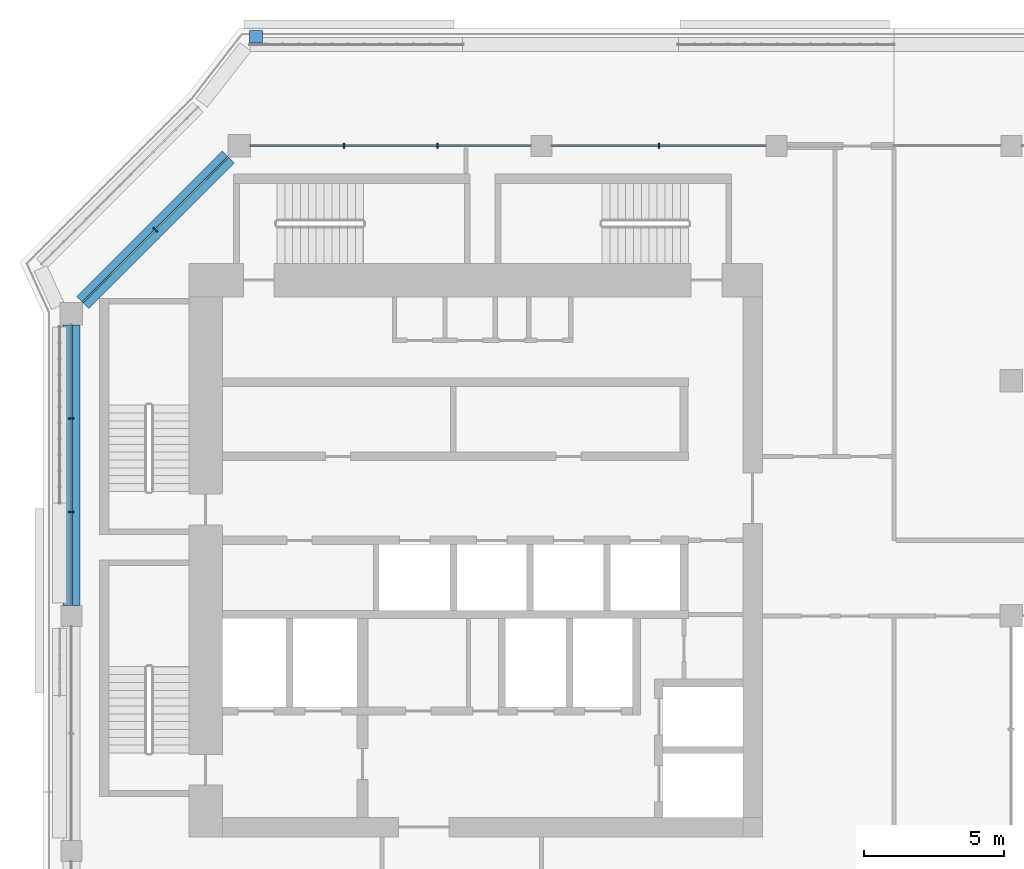
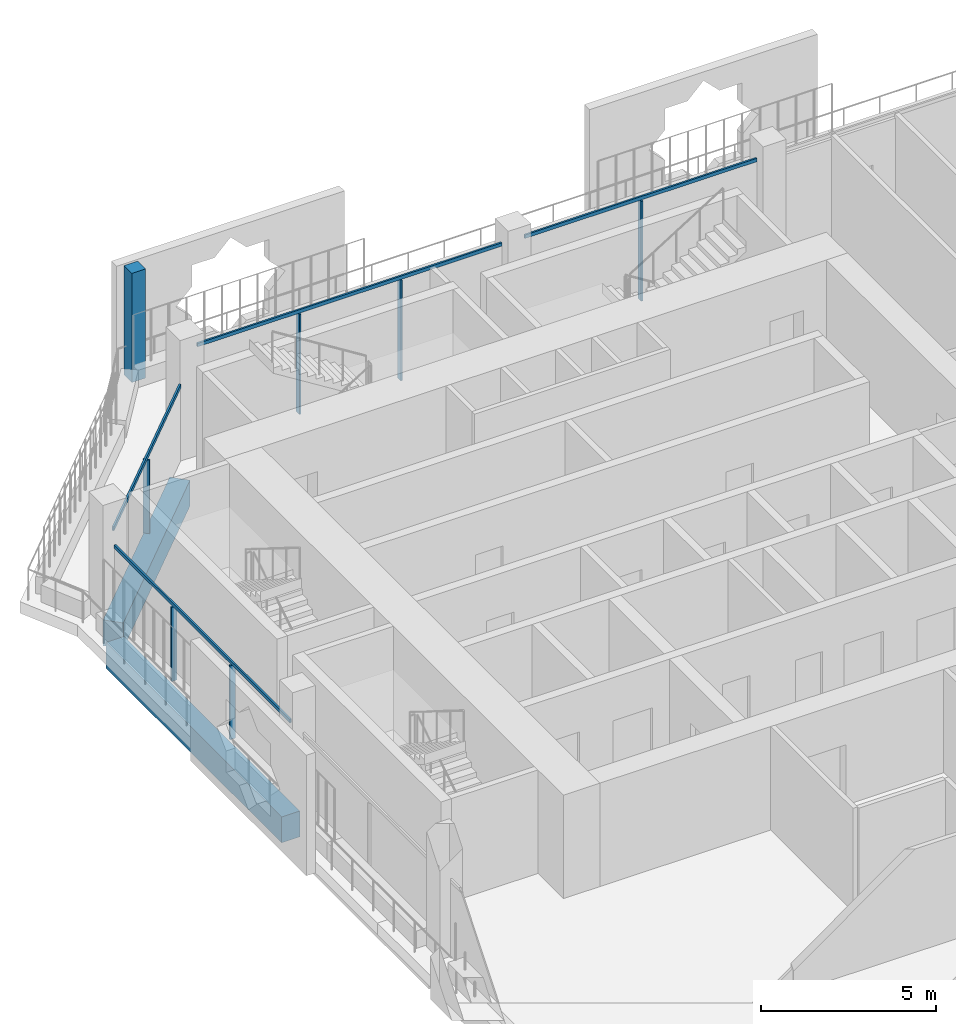
# One storey, part 5 of 22: 11 members, 2 beams, 4 elements without a shape of their own.
"""IFC4 building model written with IfcOpenShell, lengths in metres."""

import ifcopenshell
import ifcopenshell.guid

model = None  # the IFC model being written
_history = None  # IfcOwnerHistory: only IFC2X3 demands one
_inside = {}  # id of a spatial element -> (the spatial element, [elements in it])
_under = {}  # id of a project, library or spatial element -> (it, [spatial elements below it])
_declared = {}  # id of a project -> (the project, [libraries it declares])
_typed = {}  # id of a type object -> (the type object, [elements of that type])
_made_of = {}  # id of a material, layer set ... -> (it, [elements and type objects made of it])


def new_model(schema):
    """Start an empty IFC model of exactly this schema.

    Asked for "IFC4X3", IfcOpenShell would pick the latest addendum, in which some entities
    have other attributes; the version numbers below select the first issue.
    IFC2X3 requires an IfcOwnerHistory on every rooted entity: one is made here for all.
    """
    global model, _history
    if schema == "IFC4X3":
        model = ifcopenshell.file(schema_version=(4, 3, 0, 0))
    else:
        model = ifcopenshell.file(schema=schema)
    _inside.clear()
    _under.clear()
    _declared.clear()
    _typed.clear()
    _made_of.clear()
    _history = None
    if model.schema == "IFC2X3":
        org = make("IfcOrganization", Name="unknown")
        user = make(
            "IfcPersonAndOrganization",
            ThePerson=make("IfcPerson", FamilyName="unknown"),
            TheOrganization=org,
        )
        app = make(
            "IfcApplication",
            ApplicationDeveloper=org,
            Version="unknown",
            ApplicationFullName="unknown",
            ApplicationIdentifier="unknown",
        )
        _history = make(
            "IfcOwnerHistory",
            OwningUser=user,
            OwningApplication=app,
            ChangeAction="ADDED",
            CreationDate=0,
        )
    return model


def make(cls, **values):
    """One entity of the class cls with the attributes given. An attribute that is None is left unset."""
    return model.create_entity(
        cls, **{name: value for name, value in values.items() if value is not None}
    )


def rooted(cls, **values):
    """An entity with a GlobalId (a new one), such as an element, a storey or a relation."""
    return make(cls, GlobalId=ifcopenshell.guid.new(), OwnerHistory=_history, **values)


def si_unit(unit_type, name, prefix=None):
    """IfcSIUnit, for example si_unit("LENGTHUNIT", "METRE", prefix="MILLI")."""
    return make("IfcSIUnit", UnitType=unit_type, Prefix=prefix, Name=name)


def assignment(units):
    """IfcUnitAssignment: the units of a project."""
    return None if units is None else make("IfcUnitAssignment", Units=units)


def point(xyz):
    """IfcCartesianPoint."""
    return None if xyz is None else make("IfcCartesianPoint", Coordinates=xyz)


def direction(xyz):
    """IfcDirection."""
    return None if xyz is None else make("IfcDirection", DirectionRatios=xyz)


def frame(location, z_axis=None, x_axis=None):
    """IfcAxis2Placement3D, a coordinate frame: its origin and axes. An axis left out is left unset."""
    return make(
        "IfcAxis2Placement3D",
        Location=point(location),
        Axis=direction(z_axis),
        RefDirection=direction(x_axis),
    )


def frame_2d(location, x_axis=None):
    """IfcAxis2Placement2D, a coordinate frame in the plane: its origin and x axis."""
    return make(
        "IfcAxis2Placement2D", Location=point(location), RefDirection=direction(x_axis)
    )


def origin():
    """The frame at (0, 0, 0) with its axes left unset."""
    return frame((0.0, 0.0, 0.0))


def origin_2d():
    """The frame at (0, 0) in the plane with its x axis left unset."""
    return frame_2d((0.0, 0.0))


def place(relative_to, where):
    """IfcLocalPlacement: puts the frame where relative to a parent placement (None: the world)."""
    return make(
        "IfcLocalPlacement", PlacementRelTo=relative_to, RelativePlacement=where
    )


def context(
    kind, dimensions, precision=None, world=None, true_north=None, identifier=None
):
    """IfcGeometricRepresentationContext, for example the 3D "Model" context."""
    return make(
        "IfcGeometricRepresentationContext",
        ContextIdentifier=identifier,
        ContextType=kind,
        CoordinateSpaceDimension=dimensions,
        Precision=precision,
        WorldCoordinateSystem=world,
        TrueNorth=true_north,
    )


def subcontext(parent, identifier, kind, view, scale=None):
    """IfcGeometricRepresentationSubContext, for example "Body" below "Model"."""
    return make(
        "IfcGeometricRepresentationSubContext",
        ContextIdentifier=identifier,
        ContextType=kind,
        ParentContext=parent,
        TargetScale=scale,
        TargetView=view,
    )


def project(units=None, contexts=None):
    """IfcProject with its units and contexts."""
    return rooted(
        "IfcProject",
        Name="project",
        RepresentationContexts=contexts,
        UnitsInContext=assignment(units),
    )


def spatial(cls, under=None, at=None, **own):
    """A site, building, storey or space (cls), placed at a placement, below another one or the project."""
    s = rooted(cls, ObjectPlacement=at, **own)
    if under is not None:
        _under.setdefault(under.id(), (under, []))[1].append(s)
    return s


def profile(cls, at=None, kind="AREA", **sizes):
    """A parametric profile (cls). Its sizes go by their IFC names, for example OverallWidth=200.0."""
    return make(cls, ProfileType=kind, Position=at, **sizes)


def rectangle(**sizes):
    """IfcRectangleProfileDef."""
    return profile("IfcRectangleProfileDef", **sizes)


def extrude(swept, where, along, depth):
    """IfcExtrudedAreaSolid: the profile swept, set in the frame where, extruded along a direction by depth."""
    return make(
        "IfcExtrudedAreaSolid",
        SweptArea=swept,
        Position=where,
        ExtrudedDirection=direction(along),
        Depth=depth,
    )


def shape(context_of_items, identifier, shape_type, items):
    """IfcShapeRepresentation: the items that make up one representation, for example the "Body"."""
    return make(
        "IfcShapeRepresentation",
        ContextOfItems=context_of_items,
        RepresentationIdentifier=identifier,
        RepresentationType=shape_type,
        Items=items,
    )


def material(Name=None, Category=None):
    """IfcMaterial."""
    return make("IfcMaterial", Name=Name, Category=Category)


def layer(
    of_material, thickness, ventilated=None, Name=None, Category=None, Priority=None
):
    """IfcMaterialLayer: one layer of a wall or slab, of a material (None: an air gap)."""
    return make(
        "IfcMaterialLayer",
        Material=of_material,
        LayerThickness=thickness,
        IsVentilated=ventilated,
        Name=Name,
        Category=Category,
        Priority=Priority,
    )


def layer_set(layers, Name=None):
    """IfcMaterialLayerSet."""
    return make("IfcMaterialLayerSet", MaterialLayers=layers, LayerSetName=Name)


def material_profile(
    of_material, cross_section, Name=None, Category=None, Priority=None
):
    """IfcMaterialProfile: a cross section and its material."""
    return make(
        "IfcMaterialProfile",
        Name=Name,
        Material=of_material,
        Profile=cross_section,
        Priority=Priority,
        Category=Category,
    )


def profile_set(profiles, Name=None, composite=None):
    """IfcMaterialProfileSet."""
    return make(
        "IfcMaterialProfileSet",
        Name=Name,
        MaterialProfiles=profiles,
        CompositeProfile=composite,
    )


def made_of(thing, what):
    """Note that an element or type object is made of a material, layer set ...; save() writes the relation."""
    if what is not None:
        _made_of.setdefault(what.id(), (what, []))[1].append(thing)
    return thing


def type_object(cls, material=None, **own):
    """A type object (cls), such as IfcWallType, which elements share."""
    return made_of(rooted(cls, **own), material)


def element(
    cls,
    number,
    at=None,
    inside=None,
    cuts=None,
    type_object=None,
    material=None,
    context=None,
    identifier="Body",
    shape_type=None,
    held_by="IfcProductDefinitionShape",
    body=None,
    shapes=None,
    **own,
):
    """One element of the class cls, such as IfcWall. Its Tag is "e" and its number.

    at: its placement. inside: the storey or other place that contains it. cuts: it is an
    opening in that element (IfcRelVoidsElement). A single representation is given by context,
    identifier, shape_type and body (its items); several are given by shapes. held_by: the class
    of the entity that holds the representations. save() writes the other relations.
    """
    e = rooted(cls, Tag="e%d" % number, ObjectPlacement=at, **own)
    if body is not None:
        shapes = [shape(context, identifier, shape_type, body)]
    if shapes is not None:
        e.Representation = make(held_by, Representations=shapes)
    if inside is not None:
        _inside.setdefault(inside.id(), (inside, []))[1].append(e)
    if cuts is not None:
        rooted(
            "IfcRelVoidsElement", RelatingBuildingElement=cuts, RelatedOpeningElement=e
        )
    if type_object is not None:
        _typed.setdefault(type_object.id(), (type_object, []))[1].append(e)
    return made_of(e, material)


def aggregate(whole, parts):
    """IfcRelAggregates: a whole, such as a stair, and the parts it consists of."""
    return rooted("IfcRelAggregates", RelatingObject=whole, RelatedObjects=parts)


def save(model, path):
    """Write the relations noted so far, then the file.

    IfcRelAggregates (storeys below a building ...), IfcRelContainedInSpatialStructure (elements
    in a storey), IfcRelDefinesByType, IfcRelAssociatesMaterial and IfcRelDeclares: one each for
    every whole, place, type object, material and project.
    """
    for whole, parts in _under.values():
        aggregate(whole, parts)
    for where, things in _inside.values():
        rooted(
            "IfcRelContainedInSpatialStructure",
            RelatedElements=things,
            RelatingStructure=where,
        )
    for kind, things in _typed.values():
        rooted("IfcRelDefinesByType", RelatedObjects=things, RelatingType=kind)
    for what, things in _made_of.values():
        rooted("IfcRelAssociatesMaterial", RelatedObjects=things, RelatingMaterial=what)
    for by, libraries in _declared.values():
        rooted("IfcRelDeclares", RelatingContext=by, RelatedDefinitions=libraries)
    model.write(path)


model = new_model("IFC4")

# Units and contexts
model_context = context("Model", 3, precision=1e-05, world=origin(), true_north=direction((0.0, 1.0)))
body_context = subcontext(model_context, "Body", "Model", "MODEL_VIEW")
ifc_project = project(units=[si_unit("LENGTHUNIT", "METRE"), si_unit("AREAUNIT", "SQUARE_METRE"), si_unit("VOLUMEUNIT", "CUBIC_METRE"), si_unit("PLANEANGLEUNIT", "RADIAN"), si_unit("MASSUNIT", "GRAM", prefix="KILO")], contexts=[model_context])

# Site, building, storey
site_placement = place(None, origin())
site = spatial("IfcSite", under=ifc_project, at=site_placement, CompositionType="ELEMENT")
building_placement = place(site_placement, origin())
building = spatial("IfcBuilding", under=site, at=building_placement, Name="Kawkab Arch Medical Tower", CompositionType="ELEMENT")
storey_placement = place(building_placement, frame((0.0, 0.0, 286.0)))
storey = spatial("IfcBuildingStorey", under=building, at=storey_placement, Name="L66", CompositionType="ELEMENT", Elevation=286.0)

# Curtain wall, members
ifc_material_1 = material(Name="Bronze anodised aluminium curtain wall frame", Category="aluminium")
ifc_layer_1 = layer(ifc_material_1, 0.159912109375)
ifc_layer_set_1 = layer_set([ifc_layer_1], Name="Bronze anodised aluminium curtain wall frame")
curtain_wall_type_1 = type_object("IfcCurtainWallType", Name="CW1 ward curtain wall", PredefinedType="NOTDEFINED", material=ifc_layer_set_1)
placement = place(storey_placement, origin())
curtain_wall_1 = element("IfcCurtainWall", 1, at=placement, inside=storey, type_object=curtain_wall_type_1, Name="CW1 Ward curtain wall R10", PredefinedType="NOTDEFINED")
ifc_material_2 = material(Name="Bronze anodised aluminium curtain wall frame", Category="aluminium")
ifc_material_profile_1 = material_profile(ifc_material_2, rectangle(XDim=0.179931640625, YDim=0.06005859375, at=origin_2d()), Name="AL 60x180")
ifc_profile_set_1 = profile_set([ifc_material_profile_1], Name="Bronze anodised aluminium curtain wall frame")
member_type_1 = type_object("IfcMemberType", Name="CW1 mullion 60 x 180", PredefinedType="MULLION", material=ifc_profile_set_1)
member_1_placement = place(storey_placement, frame((21.0, 0.0, 0.0), z_axis=(0.0, 0.0, 1.0), x_axis=(0.0, -1.0, 0.0)))
member_1 = element("IfcMember", 2, at=member_1_placement, type_object=member_type_1, Name="CW1 mullion 4.1", PredefinedType="MULLION", context=body_context, shape_type="SweptSolid", body=[
    extrude(rectangle(XDim=0.179931640625, YDim=0.06005859375, at=origin_2d()), origin(), (0.0, 0.0, 1.0), 3.47998046875),
])
member_2_placement = place(storey_placement, frame((13.083251953125, 0.0, 0.0), z_axis=(0.0, 0.0, 1.0), x_axis=(0.0, -1.0, 0.0)))
member_2 = element("IfcMember", 3, at=member_2_placement, type_object=member_type_1, Name="CW1 mullion 5.1", PredefinedType="MULLION", context=body_context, shape_type="SweptSolid", body=[
    extrude(rectangle(XDim=0.179931640625, YDim=0.06005859375, at=origin_2d()), origin(), (0.0, 0.0, 1.0), 3.47998046875),
])
member_3_placement = place(storey_placement, frame((9.74169921875, 0.0, 0.0), z_axis=(0.0, 0.0, 1.0), x_axis=(0.0, -1.0, 0.0)))
member_3 = element("IfcMember", 4, at=member_3_placement, type_object=member_type_1, Name="CW1 mullion 5.2", PredefinedType="MULLION", context=body_context, shape_type="SweptSolid", body=[
    extrude(rectangle(XDim=0.179931640625, YDim=0.06005859375, at=origin_2d()), origin(), (0.0, 0.0, 1.0), 3.47998046875),
])

curtain_wall_2 = element("IfcCurtainWall", 5, at=placement, inside=storey, type_object=curtain_wall_type_1, Name="CW1 Ward curtain wall R12", PredefinedType="NOTDEFINED")
member_4_placement = place(storey_placement, frame((0.0, -9.74169921875, 0.0), z_axis=(0.0, 0.0, 1.0), x_axis=(1.0, 0.0, 0.0)))
member_4 = element("IfcMember", 6, at=member_4_placement, type_object=member_type_1, Name="CW1 mullion 1.1", PredefinedType="MULLION", context=body_context, shape_type="SweptSolid", body=[
    extrude(rectangle(XDim=0.179931640625, YDim=0.06005859375, at=origin_2d()), origin(), (0.0, 0.0, 1.0), 2.580078125),
])
member_5_placement = place(storey_placement, frame((0.0, -13.083251953125, 0.0), z_axis=(0.0, 0.0, 1.0), x_axis=(1.0, 0.0, 0.0)))
member_5 = element("IfcMember", 7, at=member_5_placement, type_object=member_type_1, Name="CW1 mullion 1.2", PredefinedType="MULLION", context=body_context, shape_type="SweptSolid", body=[
    extrude(rectangle(XDim=0.179931640625, YDim=0.06005859375, at=origin_2d()), origin(), (0.0, 0.0, 1.0), 2.580078125),
])

# Member
ifc_material_3 = material(Name="Bronze anodised aluminium curtain wall frame", Category="aluminium")
ifc_material_profile_2 = material_profile(ifc_material_3, rectangle(XDim=0.06005859375, YDim=0.1201171875, at=origin_2d()), Name="AL 60x120")
ifc_profile_set_2 = profile_set([ifc_material_profile_2], Name="Bronze anodised aluminium curtain wall frame")
member_type_2 = type_object("IfcMemberType", Name="CW1 transom 120 x 60", PredefinedType="USERDEFINED", material=ifc_profile_set_2)
member_6_placement = place(storey_placement, frame((24.824951171875, 0.0, 3.5400390625), z_axis=(-1.0, 0.0, 0.0), x_axis=(0.0, -1.0, 0.0)))
member_6 = element("IfcMember", 8, at=member_6_placement, type_object=member_type_2, Name="CW1 transom 4", ObjectType="TRANSOM", PredefinedType="USERDEFINED", context=body_context, shape_type="SweptSolid", body=[
    extrude(rectangle(XDim=0.06005859375, YDim=0.1201171875, at=origin_2d()), origin(), (0.0, 0.0, 1.0), 7.64990234375),
])

member_7_placement = place(storey_placement, frame((16.425048828125, 0.0, 3.5400390625), z_axis=(-1.0, 0.0, 0.0), x_axis=(0.0, -1.0, 0.0)))
member_7 = element("IfcMember", 9, at=member_7_placement, type_object=member_type_2, Name="CW1 transom 5", ObjectType="TRANSOM", PredefinedType="USERDEFINED", context=body_context, shape_type="SweptSolid", body=[
    extrude(rectangle(XDim=0.06005859375, YDim=0.1201171875, at=origin_2d()), origin(), (0.0, 0.0, 1.0), 10.025146484375),
])

aggregate(curtain_wall_1, [member_6, member_1, member_7, member_2, member_3])

member_8_placement = place(storey_placement, frame((0.0, -6.39990234375, 2.639892578125), z_axis=(0.0, -1.0, 0.0), x_axis=(1.0, 0.0, 0.0)))
member_8 = element("IfcMember", 10, at=member_8_placement, type_object=member_type_2, Name="CW1 transom 1", ObjectType="TRANSOM", PredefinedType="USERDEFINED", context=body_context, shape_type="SweptSolid", body=[
    extrude(rectangle(XDim=0.06005859375, YDim=0.1201171875, at=origin_2d()), origin(), (0.0, 0.0, 1.0), 10.025146484375),
])

aggregate(curtain_wall_2, [member_8, member_4, member_5])

# Curtain wall, members
ifc_material_4 = material(Name="Bronze anodised aluminium curtain wall frame", Category="aluminium")
ifc_layer_2 = layer(ifc_material_4, 0.159912109375)
ifc_layer_set_2 = layer_set([ifc_layer_2], Name="Bronze anodised aluminium curtain wall frame")
curtain_wall_type_2 = type_object("IfcCurtainWallType", Name="CW2 chamfer curtain wall", PredefinedType="NOTDEFINED", material=ifc_layer_set_2)
curtain_wall_3 = element("IfcCurtainWall", 11, at=placement, inside=storey, type_object=curtain_wall_type_2, Name="CW2 Chamfer curtain wall R11", PredefinedType="NOTDEFINED")
ifc_material_5 = material(Name="Bronze anodised aluminium curtain wall frame", Category="aluminium")
ifc_material_profile_3 = material_profile(ifc_material_5, rectangle(XDim=0.199951171875, YDim=0.06005859375, at=origin_2d()), Name="AL 60x200")
ifc_profile_set_3 = profile_set([ifc_material_profile_3], Name="Bronze anodised aluminium curtain wall frame")
member_type_3 = type_object("IfcMemberType", Name="CW2 mullion 60 x 200", PredefinedType="MULLION", material=ifc_profile_set_3)
member_9_placement = place(storey_placement, frame((3.0, -3.0, 0.0), z_axis=(0.0, 0.0, 1.0), x_axis=(0.707106781187, -0.707106781187, 0.0)))
member_9 = element("IfcMember", 12, at=member_9_placement, type_object=member_type_3, Name="CW2 mullion 1.1", PredefinedType="MULLION", context=body_context, shape_type="SweptSolid", body=[
    extrude(rectangle(XDim=0.199951171875, YDim=0.06005859375, at=origin_2d()), origin(), (0.0, 0.0, 1.0), 2.56005859375),
])
ifc_material_6 = material(Name="Bronze anodised aluminium curtain wall frame", Category="aluminium")
ifc_material_profile_4 = material_profile(ifc_material_6, rectangle(XDim=0.06005859375, YDim=0.139892578125, at=origin_2d()), Name="AL 60x140")
ifc_profile_set_4 = profile_set([ifc_material_profile_4], Name="Bronze anodised aluminium curtain wall frame")
member_type_4 = type_object("IfcMemberType", Name="CW2 transom 140 x 60", PredefinedType="USERDEFINED", material=ifc_profile_set_4)
member_10_placement = place(storey_placement, frame((5.60009765625, -0.39990234375, 2.6298828125), z_axis=(-0.707106781187, -0.707106781187, 0.0), x_axis=(0.707106781187, -0.707106781187, 0.0)))
member_10 = element("IfcMember", 13, at=member_10_placement, type_object=member_type_4, Name="CW2 transom 1", ObjectType="TRANSOM", PredefinedType="USERDEFINED", context=body_context, shape_type="SweptSolid", body=[
    extrude(rectangle(XDim=0.06005859375, YDim=0.139892578125, at=origin_2d()), origin(), (0.0, 0.0, 1.0), 7.354248046875),
])
aggregate(curtain_wall_3, [member_10, member_9])

# Curtain wall, member
ifc_material_7 = material(Name="Bronze anodised aluminium climber frame, planted", Category="aluminium")
ifc_layer_3 = layer(ifc_material_7, 0.449951171875)
ifc_layer_set_3 = layer_set([ifc_layer_3], Name="Bronze anodised aluminium climber frame, planted")
curtain_wall_type_3 = type_object("IfcCurtainWallType", Name="Planted climber frame", PredefinedType="NOTDEFINED", material=ifc_layer_set_3)
curtain_wall_4 = element("IfcCurtainWall", 14, at=placement, inside=storey, type_object=curtain_wall_type_3, Name="Planted climber frame L66", PredefinedType="NOTDEFINED")
ifc_material_8 = material(Name="Bronze anodised aluminium climber frame, planted", Category="aluminium")
ifc_material_profile_5 = material_profile(ifc_material_8, rectangle(XDim=0.449951171875, YDim=0.449951171875, at=origin_2d()), Name="Post 450x450")
ifc_profile_set_5 = profile_set([ifc_material_profile_5], Name="Bronze anodised aluminium climber frame, planted")
member_type_5 = type_object("IfcMemberType", Name="Planted climber post 450 x 450", PredefinedType="MULLION", material=ifc_profile_set_5)
member_11_placement = place(storey_placement, frame((6.596923828125, 3.89990234375, 0.0), z_axis=(0.0, 0.0, 1.0), x_axis=(1.0, 0.0, 0.0)))
member_11 = element("IfcMember", 15, at=member_11_placement, type_object=member_type_5, Name="Planted climber post L66.LOG-01-02.1", PredefinedType="MULLION", context=body_context, shape_type="SweptSolid", body=[
    extrude(rectangle(XDim=0.449951171875, YDim=0.449951171875, at=origin_2d()), origin(), (0.0, 0.0, 1.0), 3.800048828125),
])
aggregate(curtain_wall_4, [member_11])

# Beams
ifc_material_9 = material(Name="Concrete C40/50", Category="concrete")
ifc_material_profile_6 = material_profile(ifc_material_9, rectangle(XDim=0.60009765625, YDim=0.89990234375, at=origin_2d()), Name="RC 600x900")
ifc_profile_set_6 = profile_set([ifc_material_profile_6], Name="Concrete C40/50")
beam_type = type_object("IfcBeamType", Name="RC 600x900 beam C40/50", PredefinedType="BEAM", material=ifc_profile_set_6)
beam_1_placement = place(storey_placement, frame((0.39990234375, -5.60009765625, -1.050048828125), z_axis=(0.707106781187, 0.707106781187, 0.0), x_axis=(-0.707106781187, 0.707106781187, 0.0)))
element("IfcBeam", 16, at=beam_1_placement, inside=storey, type_object=beam_type, Name="Overhang edge beam L66-01", PredefinedType="BEAM", context=body_context, shape_type="SweptSolid", body=[
    extrude(rectangle(XDim=0.60009765625, YDim=0.89990234375, at=origin_2d()), origin(), (0.0, 0.0, 1.0), 7.354248046875),
])
beam_2_placement = place(storey_placement, frame((0.0, -16.425048828125, -1.050048828125), z_axis=(0.0, 1.0, 0.0), x_axis=(-1.0, 0.0, 0.0)))
element("IfcBeam", 17, at=beam_2_placement, inside=storey, type_object=beam_type, Name="Overhang edge beam L66-06", PredefinedType="BEAM", context=body_context, shape_type="SweptSolid", body=[
    extrude(rectangle(XDim=0.60009765625, YDim=0.89990234375, at=origin_2d()), origin(), (0.0, 0.0, 1.0), 10.025146484375),
])

save(model, "model.ifc")
